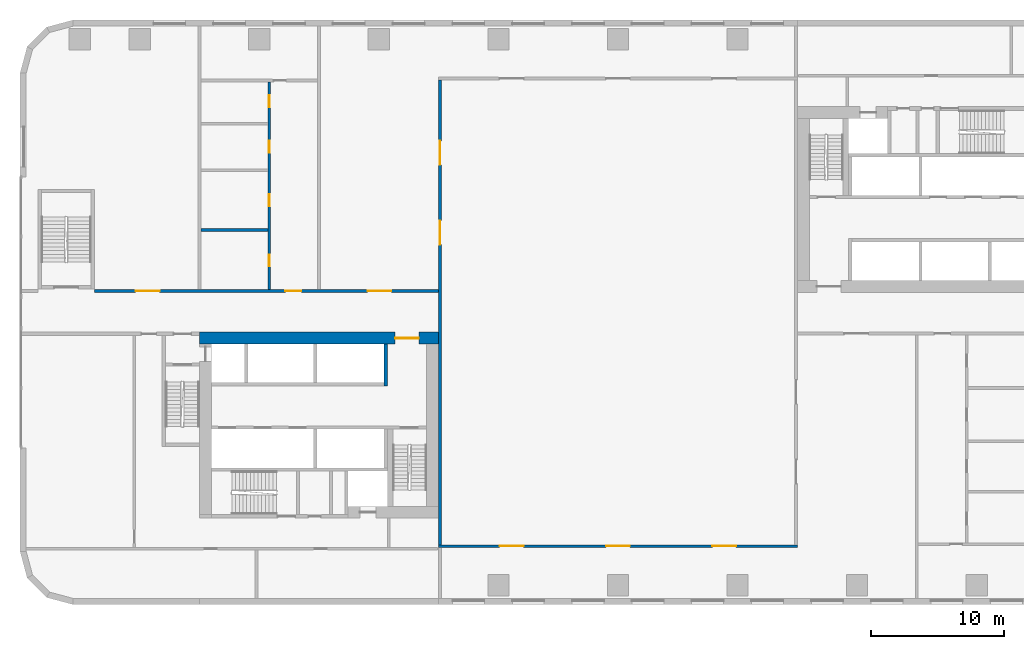
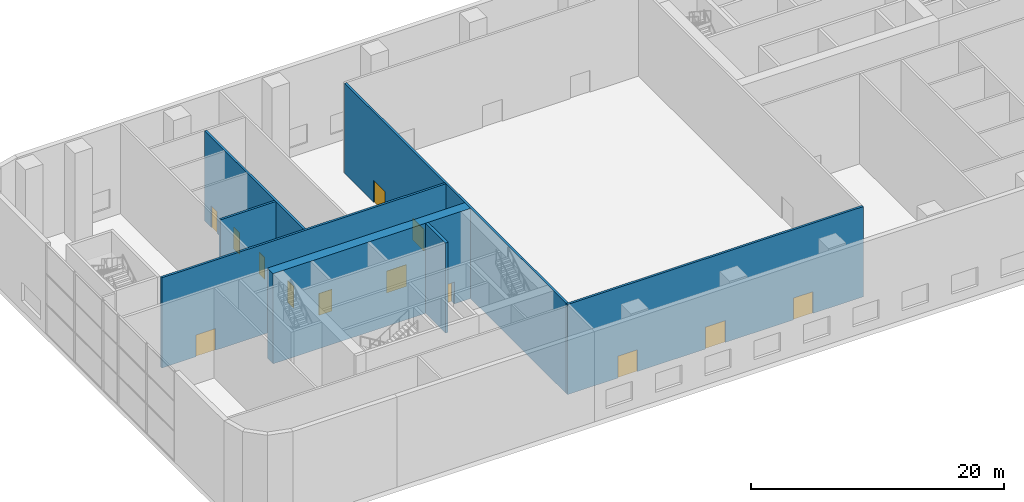
# One storey, part 7 of 24: 13 doors, 7 walls, 13 openings.
"""IFC4 building model written with IfcOpenShell, lengths in metres."""

import ifcopenshell
import ifcopenshell.guid

model = None  # the IFC model being written
_history = None  # IfcOwnerHistory: only IFC2X3 demands one
_inside = {}  # id of a spatial element -> (the spatial element, [elements in it])
_under = {}  # id of a project, library or spatial element -> (it, [spatial elements below it])
_declared = {}  # id of a project -> (the project, [libraries it declares])
_typed = {}  # id of a type object -> (the type object, [elements of that type])
_made_of = {}  # id of a material, layer set ... -> (it, [elements and type objects made of it])


def new_model(schema):
    """Start an empty IFC model of exactly this schema.

    Asked for "IFC4X3", IfcOpenShell would pick the latest addendum, in which some entities
    have other attributes; the version numbers below select the first issue.
    IFC2X3 requires an IfcOwnerHistory on every rooted entity: one is made here for all.
    """
    global model, _history
    if schema == "IFC4X3":
        model = ifcopenshell.file(schema_version=(4, 3, 0, 0))
    else:
        model = ifcopenshell.file(schema=schema)
    _inside.clear()
    _under.clear()
    _declared.clear()
    _typed.clear()
    _made_of.clear()
    _history = None
    if model.schema == "IFC2X3":
        org = make("IfcOrganization", Name="unknown")
        user = make(
            "IfcPersonAndOrganization",
            ThePerson=make("IfcPerson", FamilyName="unknown"),
            TheOrganization=org,
        )
        app = make(
            "IfcApplication",
            ApplicationDeveloper=org,
            Version="unknown",
            ApplicationFullName="unknown",
            ApplicationIdentifier="unknown",
        )
        _history = make(
            "IfcOwnerHistory",
            OwningUser=user,
            OwningApplication=app,
            ChangeAction="ADDED",
            CreationDate=0,
        )
    return model


def make(cls, **values):
    """One entity of the class cls with the attributes given. An attribute that is None is left unset."""
    return model.create_entity(
        cls, **{name: value for name, value in values.items() if value is not None}
    )


def rooted(cls, **values):
    """An entity with a GlobalId (a new one), such as an element, a storey or a relation."""
    return make(cls, GlobalId=ifcopenshell.guid.new(), OwnerHistory=_history, **values)


def si_unit(unit_type, name, prefix=None):
    """IfcSIUnit, for example si_unit("LENGTHUNIT", "METRE", prefix="MILLI")."""
    return make("IfcSIUnit", UnitType=unit_type, Prefix=prefix, Name=name)


def assignment(units):
    """IfcUnitAssignment: the units of a project."""
    return None if units is None else make("IfcUnitAssignment", Units=units)


def point(xyz):
    """IfcCartesianPoint."""
    return None if xyz is None else make("IfcCartesianPoint", Coordinates=xyz)


def direction(xyz):
    """IfcDirection."""
    return None if xyz is None else make("IfcDirection", DirectionRatios=xyz)


def frame(location, z_axis=None, x_axis=None):
    """IfcAxis2Placement3D, a coordinate frame: its origin and axes. An axis left out is left unset."""
    return make(
        "IfcAxis2Placement3D",
        Location=point(location),
        Axis=direction(z_axis),
        RefDirection=direction(x_axis),
    )


def frame_2d(location, x_axis=None):
    """IfcAxis2Placement2D, a coordinate frame in the plane: its origin and x axis."""
    return make(
        "IfcAxis2Placement2D", Location=point(location), RefDirection=direction(x_axis)
    )


def origin():
    """The frame at (0, 0, 0) with its axes left unset."""
    return frame((0.0, 0.0, 0.0))


def place(relative_to, where):
    """IfcLocalPlacement: puts the frame where relative to a parent placement (None: the world)."""
    return make(
        "IfcLocalPlacement", PlacementRelTo=relative_to, RelativePlacement=where
    )


def context(
    kind, dimensions, precision=None, world=None, true_north=None, identifier=None
):
    """IfcGeometricRepresentationContext, for example the 3D "Model" context."""
    return make(
        "IfcGeometricRepresentationContext",
        ContextIdentifier=identifier,
        ContextType=kind,
        CoordinateSpaceDimension=dimensions,
        Precision=precision,
        WorldCoordinateSystem=world,
        TrueNorth=true_north,
    )


def subcontext(parent, identifier, kind, view, scale=None):
    """IfcGeometricRepresentationSubContext, for example "Body" below "Model"."""
    return make(
        "IfcGeometricRepresentationSubContext",
        ContextIdentifier=identifier,
        ContextType=kind,
        ParentContext=parent,
        TargetScale=scale,
        TargetView=view,
    )


def project(units=None, contexts=None):
    """IfcProject with its units and contexts."""
    return rooted(
        "IfcProject",
        Name="project",
        RepresentationContexts=contexts,
        UnitsInContext=assignment(units),
    )


def spatial(cls, under=None, at=None, **own):
    """A site, building, storey or space (cls), placed at a placement, below another one or the project."""
    s = rooted(cls, ObjectPlacement=at, **own)
    if under is not None:
        _under.setdefault(under.id(), (under, []))[1].append(s)
    return s


def profile(cls, at=None, kind="AREA", **sizes):
    """A parametric profile (cls). Its sizes go by their IFC names, for example OverallWidth=200.0."""
    return make(cls, ProfileType=kind, Position=at, **sizes)


def rectangle(**sizes):
    """IfcRectangleProfileDef."""
    return profile("IfcRectangleProfileDef", **sizes)


def extrude(swept, where, along, depth):
    """IfcExtrudedAreaSolid: the profile swept, set in the frame where, extruded along a direction by depth."""
    return make(
        "IfcExtrudedAreaSolid",
        SweptArea=swept,
        Position=where,
        ExtrudedDirection=direction(along),
        Depth=depth,
    )


def shape(context_of_items, identifier, shape_type, items):
    """IfcShapeRepresentation: the items that make up one representation, for example the "Body"."""
    return make(
        "IfcShapeRepresentation",
        ContextOfItems=context_of_items,
        RepresentationIdentifier=identifier,
        RepresentationType=shape_type,
        Items=items,
    )


def material(Name=None, Category=None):
    """IfcMaterial."""
    return make("IfcMaterial", Name=Name, Category=Category)


def layer(
    of_material, thickness, ventilated=None, Name=None, Category=None, Priority=None
):
    """IfcMaterialLayer: one layer of a wall or slab, of a material (None: an air gap)."""
    return make(
        "IfcMaterialLayer",
        Material=of_material,
        LayerThickness=thickness,
        IsVentilated=ventilated,
        Name=Name,
        Category=Category,
        Priority=Priority,
    )


def layer_set(layers, Name=None):
    """IfcMaterialLayerSet."""
    return make("IfcMaterialLayerSet", MaterialLayers=layers, LayerSetName=Name)


def made_of(thing, what):
    """Note that an element or type object is made of a material, layer set ...; save() writes the relation."""
    if what is not None:
        _made_of.setdefault(what.id(), (what, []))[1].append(thing)
    return thing


def type_object(cls, material=None, **own):
    """A type object (cls), such as IfcWallType, which elements share."""
    return made_of(rooted(cls, **own), material)


def element(
    cls,
    number,
    at=None,
    inside=None,
    cuts=None,
    type_object=None,
    material=None,
    context=None,
    identifier="Body",
    shape_type=None,
    held_by="IfcProductDefinitionShape",
    body=None,
    shapes=None,
    **own,
):
    """One element of the class cls, such as IfcWall. Its Tag is "e" and its number.

    at: its placement. inside: the storey or other place that contains it. cuts: it is an
    opening in that element (IfcRelVoidsElement). A single representation is given by context,
    identifier, shape_type and body (its items); several are given by shapes. held_by: the class
    of the entity that holds the representations. save() writes the other relations.
    """
    e = rooted(cls, Tag="e%d" % number, ObjectPlacement=at, **own)
    if body is not None:
        shapes = [shape(context, identifier, shape_type, body)]
    if shapes is not None:
        e.Representation = make(held_by, Representations=shapes)
    if inside is not None:
        _inside.setdefault(inside.id(), (inside, []))[1].append(e)
    if cuts is not None:
        rooted(
            "IfcRelVoidsElement", RelatingBuildingElement=cuts, RelatedOpeningElement=e
        )
    if type_object is not None:
        _typed.setdefault(type_object.id(), (type_object, []))[1].append(e)
    return made_of(e, material)


def fill(opening, filler):
    """IfcRelFillsElement: the door or window that sits in an opening."""
    return rooted(
        "IfcRelFillsElement",
        RelatingOpeningElement=opening,
        RelatedBuildingElement=filler,
    )


def aggregate(whole, parts):
    """IfcRelAggregates: a whole, such as a stair, and the parts it consists of."""
    return rooted("IfcRelAggregates", RelatingObject=whole, RelatedObjects=parts)


def save(model, path):
    """Write the relations noted so far, then the file.

    IfcRelAggregates (storeys below a building ...), IfcRelContainedInSpatialStructure (elements
    in a storey), IfcRelDefinesByType, IfcRelAssociatesMaterial and IfcRelDeclares: one each for
    every whole, place, type object, material and project.
    """
    for whole, parts in _under.values():
        aggregate(whole, parts)
    for where, things in _inside.values():
        rooted(
            "IfcRelContainedInSpatialStructure",
            RelatedElements=things,
            RelatingStructure=where,
        )
    for kind, things in _typed.values():
        rooted("IfcRelDefinesByType", RelatedObjects=things, RelatingType=kind)
    for what, things in _made_of.values():
        rooted("IfcRelAssociatesMaterial", RelatedObjects=things, RelatingMaterial=what)
    for by, libraries in _declared.values():
        rooted("IfcRelDeclares", RelatingContext=by, RelatedDefinitions=libraries)
    model.write(path)


model = new_model("IFC4")

# Units and contexts
model_context = context("Model", 3, precision=1e-05, world=origin(), true_north=direction((0.0, 1.0)))
body_context = subcontext(model_context, "Body", "Model", "MODEL_VIEW")
ifc_project = project(units=[si_unit("LENGTHUNIT", "METRE"), si_unit("AREAUNIT", "SQUARE_METRE"), si_unit("VOLUMEUNIT", "CUBIC_METRE"), si_unit("PLANEANGLEUNIT", "RADIAN"), si_unit("MASSUNIT", "GRAM", prefix="KILO")], contexts=[model_context])

# Site, building, storey
site_placement = place(None, origin())
site = spatial("IfcSite", under=ifc_project, at=site_placement, CompositionType="ELEMENT")
building_placement = place(site_placement, origin())
building = spatial("IfcBuilding", under=site, at=building_placement, Name="Kajstack Hotel Tower", CompositionType="ELEMENT")
storey_placement = place(building_placement, frame((0.0, 0.0, 38.0)))
storey = spatial("IfcBuildingStorey", under=building, at=storey_placement, Name="L06", CompositionType="ELEMENT", Elevation=38.0)

# Wall, opening, door
ifc_material_1 = material(Name="Concrete C60/75", Category="concrete")
ifc_layer_1 = layer(ifc_material_1, 0.89990234375)
ifc_layer_set_1 = layer_set([ifc_layer_1], Name="Core wall 900")
wall_type_1 = type_object("IfcWallType", Name="Core wall 900", PredefinedType="SHEAR", material=ifc_layer_set_1)
wall_1_placement = place(storey_placement, frame((-31.5, -1.949951171875, 0.0), z_axis=(0.0, 0.0, 1.0), x_axis=(1.0, 0.0, 0.0)))
wall_1 = element("IfcWall", 1, at=wall_1_placement, inside=storey, type_object=wall_type_1, Name="Core wall W RN", PredefinedType="SHEAR", context=body_context, shape_type="SweptSolid", body=[
    extrude(rectangle(XDim=18.0, YDim=0.89990234375, at=frame_2d((9.0, 0.0))), origin(), (0.0, 0.0, 1.0), 8.699951171875),
])
opening_1_placement = place(wall_1_placement, frame((14.72509765625, 0.0, 0.0)))
opening_1 = element("IfcOpeningElement", 2, at=opening_1_placement, cuts=wall_1, Name="Opening 06W06", PredefinedType="OPENING", context=body_context, shape_type="SweptSolid", body=[
    extrude(rectangle(XDim=1.800048828125, YDim=2.10009765625, at=frame_2d((0.89990234375, 1.050048828125))), frame((0.0, 0.4599609375, 0.0), z_axis=(0.0, -1.0, 0.0), x_axis=(1.0, 0.0, 0.0)), (0.0, 0.0, 1.0), 0.919921875),
])
ifc_material_2 = material(Name="Glazed steel frame, fire-rated glass", Category="steel")
door_type_1 = type_object("IfcDoorType", Name="Lobby double door 1800", OperationType="DOUBLE_DOOR_DOUBLE_SWING", PredefinedType="DOOR", material=ifc_material_2)
door_1_placement = place(opening_1_placement, origin())
door_1 = element("IfcDoor", 3, at=door_1_placement, inside=storey, type_object=door_type_1, Name="Door 06W06", OperationType="DOUBLE_DOOR_DOUBLE_SWING", OverallHeight=2.10009765625, OverallWidth=1.800048828125, PredefinedType="DOOR", context=body_context, shape_type="SweptSolid", body=[
    extrude(rectangle(XDim=1.800048828125, YDim=2.10009765625, at=frame_2d((0.89990234375, 1.050048828125))), frame((0.0, 0.02490234375, 0.0), z_axis=(0.0, -1.0, 0.0), x_axis=(1.0, 0.0, 0.0)), (0.0, 0.0, 1.0), 0.050048828125),
])
fill(opening_1, door_1)

# Wall, openings, doors
ifc_material_3 = material(Name="Gypsum board on steel studs, mineral wool", Category="steel")
ifc_layer_2 = layer(ifc_material_3, 0.199951171875)
ifc_layer_set_2 = layer_set([ifc_layer_2], Name="Public partition 200")
wall_type_2 = type_object("IfcWallType", Name="Public partition 200", PredefinedType="PARTITIONING", material=ifc_layer_set_2)
wall_2_placement = place(storey_placement, frame((-26.25, 1.699951171875, 0.0), z_axis=(0.0, 0.0, 1.0), x_axis=(0.0, 1.0, 0.0)))
wall_2 = element("IfcWall", 4, at=wall_2_placement, inside=storey, type_object=wall_type_2, Name="Partition C1CW", PredefinedType="PARTITIONING", context=body_context, shape_type="SweptSolid", body=[
    extrude(rectangle(XDim=15.650146484375, YDim=0.199951171875, at=frame_2d((7.8251953125, 0.0))), origin(), (0.0, 0.0, 1.0), 8.699951171875),
])
opening_2_placement = place(wall_2_placement, frame((1.75, 0.0, 0.0)))
opening_2 = element("IfcOpeningElement", 5, at=opening_2_placement, cuts=wall_2, Name="Opening 06P03", PredefinedType="OPENING", context=body_context, shape_type="SweptSolid", body=[
    extrude(rectangle(XDim=0.89990234375, YDim=2.10009765625, at=frame_2d((0.449951171875, 1.050048828125))), frame((0.0, 0.10986328125, 0.0), z_axis=(0.0, -1.0, 0.0), x_axis=(1.0, 0.0, 0.0)), (0.0, 0.0, 1.0), 0.219970703125),
])
opening_3_placement = place(wall_2_placement, frame((6.300048828125, 0.0, 0.0)))
opening_3 = element("IfcOpeningElement", 6, at=opening_3_placement, cuts=wall_2, Name="Opening 06P04", PredefinedType="OPENING", context=body_context, shape_type="SweptSolid", body=[
    extrude(rectangle(XDim=0.89990234375, YDim=2.10009765625, at=frame_2d((0.449951171875, 1.050048828125))), frame((0.0, 0.10986328125, 0.0), z_axis=(0.0, -1.0, 0.0), x_axis=(1.0, 0.0, 0.0)), (0.0, 0.0, 1.0), 0.219970703125),
])
opening_4_placement = place(wall_2_placement, frame((10.300048828125, 0.0, 0.0)))
opening_4 = element("IfcOpeningElement", 7, at=opening_4_placement, cuts=wall_2, Name="Opening 06P05", PredefinedType="OPENING", context=body_context, shape_type="SweptSolid", body=[
    extrude(rectangle(XDim=0.89990234375, YDim=2.10009765625, at=frame_2d((0.449951171875, 1.050048828125))), frame((0.0, 0.10986328125, 0.0), z_axis=(0.0, -1.0, 0.0), x_axis=(1.0, 0.0, 0.0)), (0.0, 0.0, 1.0), 0.219970703125),
])
opening_5_placement = place(wall_2_placement, frame((13.72509765625, 0.0, 0.0)))
opening_5 = element("IfcOpeningElement", 8, at=opening_5_placement, cuts=wall_2, Name="Opening 06P06", PredefinedType="OPENING", context=body_context, shape_type="SweptSolid", body=[
    extrude(rectangle(XDim=0.89990234375, YDim=2.10009765625, at=frame_2d((0.449951171875, 1.050048828125))), frame((0.0, 0.10986328125, 0.0), z_axis=(0.0, -1.0, 0.0), x_axis=(1.0, 0.0, 0.0)), (0.0, 0.0, 1.0), 0.219970703125),
])
ifc_material_4 = material(Name="Timber leaf", Category="wood")
door_type_2 = type_object("IfcDoorType", Name="Public room door 900", OperationType="SINGLE_SWING_LEFT", PredefinedType="DOOR", material=ifc_material_4)
door_2_placement = place(opening_2_placement, origin())
door_2 = element("IfcDoor", 9, at=door_2_placement, inside=storey, type_object=door_type_2, Name="Door 06P03", OperationType="SINGLE_SWING_LEFT", OverallHeight=2.10009765625, OverallWidth=0.89990234375, PredefinedType="DOOR", context=body_context, shape_type="SweptSolid", body=[
    extrude(rectangle(XDim=0.89990234375, YDim=2.10009765625, at=frame_2d((0.449951171875, 1.050048828125))), frame((0.0, 0.02490234375, 0.0), z_axis=(0.0, -1.0, 0.0), x_axis=(1.0, 0.0, 0.0)), (0.0, 0.0, 1.0), 0.050048828125),
])
fill(opening_2, door_2)
door_3_placement = place(opening_3_placement, origin())
door_3 = element("IfcDoor", 10, at=door_3_placement, inside=storey, type_object=door_type_2, Name="Door 06P04", OperationType="SINGLE_SWING_LEFT", OverallHeight=2.10009765625, OverallWidth=0.89990234375, PredefinedType="DOOR", context=body_context, shape_type="SweptSolid", body=[
    extrude(rectangle(XDim=0.89990234375, YDim=2.10009765625, at=frame_2d((0.449951171875, 1.050048828125))), frame((0.0, 0.02490234375, 0.0), z_axis=(0.0, -1.0, 0.0), x_axis=(1.0, 0.0, 0.0)), (0.0, 0.0, 1.0), 0.050048828125),
])
fill(opening_3, door_3)
door_4_placement = place(opening_4_placement, origin())
door_4 = element("IfcDoor", 11, at=door_4_placement, inside=storey, type_object=door_type_2, Name="Door 06P05", OperationType="SINGLE_SWING_LEFT", OverallHeight=2.10009765625, OverallWidth=0.89990234375, PredefinedType="DOOR", context=body_context, shape_type="SweptSolid", body=[
    extrude(rectangle(XDim=0.89990234375, YDim=2.10009765625, at=frame_2d((0.449951171875, 1.050048828125))), frame((0.0, 0.02490234375, 0.0), z_axis=(0.0, -1.0, 0.0), x_axis=(1.0, 0.0, 0.0)), (0.0, 0.0, 1.0), 0.050048828125),
])
fill(opening_4, door_4)
door_5_placement = place(opening_5_placement, origin())
door_5 = element("IfcDoor", 12, at=door_5_placement, inside=storey, type_object=door_type_2, Name="Door 06P06", OperationType="SINGLE_SWING_LEFT", OverallHeight=2.10009765625, OverallWidth=0.89990234375, PredefinedType="DOOR", context=body_context, shape_type="SweptSolid", body=[
    extrude(rectangle(XDim=0.89990234375, YDim=2.10009765625, at=frame_2d((0.449951171875, 1.050048828125))), frame((0.0, 0.02490234375, 0.0), z_axis=(0.0, -1.0, 0.0), x_axis=(1.0, 0.0, 0.0)), (0.0, 0.0, 1.0), 0.050048828125),
])
fill(opening_5, door_5)

# Wall
wall_3_placement = place(storey_placement, frame((-31.39990234375, 6.199951171875, 0.0), z_axis=(0.0, 0.0, 1.0), x_axis=(1.0, 0.0, 0.0)))
element("IfcWall", 13, at=wall_3_placement, inside=storey, type_object=wall_type_2, Name="Partition C1wP0", PredefinedType="PARTITIONING", context=body_context, shape_type="SweptSolid", body=[
    extrude(rectangle(XDim=5.0498046875, YDim=0.199951171875, at=frame_2d((2.52490234375, 0.0))), origin(), (0.0, 0.0, 1.0), 8.699951171875),
])

# Wall, openings, doors
wall_4_placement = place(storey_placement, frame((-39.39990234375, 1.60009765625, 0.0), z_axis=(0.0, 0.0, 1.0), x_axis=(1.0, 0.0, 0.0)))
wall_4 = element("IfcWall", 14, at=wall_4_placement, inside=storey, type_object=wall_type_2, Name="Partition FW", PredefinedType="PARTITIONING", context=body_context, shape_type="SweptSolid", body=[
    extrude(rectangle(XDim=25.89990234375, YDim=0.199951171875, at=frame_2d((12.949951171875, 0.0))), origin(), (0.0, 0.0, 1.0), 8.699951171875),
])
opening_6_placement = place(wall_4_placement, frame((20.550048828125, 0.0, 0.0)))
opening_6 = element("IfcOpeningElement", 15, at=opening_6_placement, cuts=wall_4, Name="Opening 06P01", PredefinedType="OPENING", context=body_context, shape_type="SweptSolid", body=[
    extrude(rectangle(XDim=1.800048828125, YDim=2.10009765625, at=frame_2d((0.89990234375, 1.050048828125))), frame((0.0, 0.10986328125, 0.0), z_axis=(0.0, -1.0, 0.0), x_axis=(1.0, 0.0, 0.0)), (0.0, 0.0, 1.0), 0.219970703125),
])
opening_7_placement = place(wall_4_placement, frame((14.375, 0.0, 0.0)))
opening_7 = element("IfcOpeningElement", 16, at=opening_7_placement, cuts=wall_4, Name="Opening 06P02", PredefinedType="OPENING", context=body_context, shape_type="SweptSolid", body=[
    extrude(rectangle(XDim=1.199951171875, YDim=2.10009765625, at=frame_2d((0.60009765625, 1.050048828125))), frame((0.0, 0.10986328125, 0.0), z_axis=(0.0, -1.0, 0.0), x_axis=(1.0, 0.0, 0.0)), (0.0, 0.0, 1.0), 0.219970703125),
])
opening_8_placement = place(wall_4_placement, frame((3.10009765625, 0.0, 0.0)))
opening_8 = element("IfcOpeningElement", 17, at=opening_8_placement, cuts=wall_4, Name="Opening 06P08", PredefinedType="OPENING", context=body_context, shape_type="SweptSolid", body=[
    extrude(rectangle(XDim=1.800048828125, YDim=2.10009765625, at=frame_2d((0.89990234375, 1.050048828125))), frame((0.0, 0.10986328125, 0.0), z_axis=(0.0, -1.0, 0.0), x_axis=(1.0, 0.0, 0.0)), (0.0, 0.0, 1.0), 0.219970703125),
])
ifc_material_5 = material(Name="Timber leaf, fire-rated", Category="wood")
door_type_3 = type_object("IfcDoorType", Name="Public corridor door 1200", OperationType="SINGLE_SWING_LEFT", PredefinedType="DOOR", material=ifc_material_5)
door_6_placement = place(opening_7_placement, origin())
door_6 = element("IfcDoor", 18, at=door_6_placement, inside=storey, type_object=door_type_3, Name="Door 06P02", OperationType="SINGLE_SWING_LEFT", OverallHeight=2.10009765625, OverallWidth=1.199951171875, PredefinedType="DOOR", context=body_context, shape_type="SweptSolid", body=[
    extrude(rectangle(XDim=1.199951171875, YDim=2.10009765625, at=frame_2d((0.60009765625, 1.050048828125))), frame((0.0, 0.02490234375, 0.0), z_axis=(0.0, -1.0, 0.0), x_axis=(1.0, 0.0, 0.0)), (0.0, 0.0, 1.0), 0.050048828125),
])
fill(opening_7, door_6)
ifc_material_6 = material(Name="Glazed timber frame, fire-rated glass", Category="wood")
door_type_4 = type_object("IfcDoorType", Name="Public double door 1800", OperationType="DOUBLE_DOOR_DOUBLE_SWING", PredefinedType="DOOR", material=ifc_material_6)
door_7_placement = place(opening_6_placement, origin())
door_7 = element("IfcDoor", 19, at=door_7_placement, inside=storey, type_object=door_type_4, Name="Door 06P01", OperationType="DOUBLE_DOOR_DOUBLE_SWING", OverallHeight=2.10009765625, OverallWidth=1.800048828125, PredefinedType="DOOR", context=body_context, shape_type="SweptSolid", body=[
    extrude(rectangle(XDim=1.800048828125, YDim=2.10009765625, at=frame_2d((0.89990234375, 1.050048828125))), frame((0.0, 0.02490234375, 0.0), z_axis=(0.0, -1.0, 0.0), x_axis=(1.0, 0.0, 0.0)), (0.0, 0.0, 1.0), 0.050048828125),
])
fill(opening_6, door_7)
door_8_placement = place(opening_8_placement, origin())
door_8 = element("IfcDoor", 20, at=door_8_placement, inside=storey, type_object=door_type_4, Name="Door 06P08", OperationType="DOUBLE_DOOR_DOUBLE_SWING", OverallHeight=2.10009765625, OverallWidth=1.800048828125, PredefinedType="DOOR", context=body_context, shape_type="SweptSolid", body=[
    extrude(rectangle(XDim=1.800048828125, YDim=2.10009765625, at=frame_2d((0.89990234375, 1.050048828125))), frame((0.0, 0.02490234375, 0.0), z_axis=(0.0, -1.0, 0.0), x_axis=(1.0, 0.0, 0.0)), (0.0, 0.0, 1.0), 0.050048828125),
])
fill(opening_8, door_8)

wall_5_placement = place(storey_placement, frame((-13.39990234375, -17.5, 0.0), z_axis=(0.0, 0.0, 1.0), x_axis=(0.0, 1.0, 0.0)))
wall_5 = element("IfcWall", 21, at=wall_5_placement, inside=storey, type_object=wall_type_2, Name="Partition BWW", PredefinedType="PARTITIONING", context=body_context, shape_type="SweptSolid", body=[
    extrude(rectangle(XDim=35.0, YDim=0.199951171875, at=frame_2d((17.5, 0.0))), origin(), (0.0, 0.0, 1.0), 8.699951171875),
])
opening_9_placement = place(wall_5_placement, frame((22.60009765625, 0.0, 0.0)))
opening_9 = element("IfcOpeningElement", 22, at=opening_9_placement, cuts=wall_5, Name="Opening 06P17", PredefinedType="OPENING", context=body_context, shape_type="SweptSolid", body=[
    extrude(rectangle(XDim=1.800048828125, YDim=2.10009765625, at=frame_2d((0.89990234375, 1.050048828125))), frame((0.0, 0.10986328125, 0.0), z_axis=(0.0, -1.0, 0.0), x_axis=(1.0, 0.0, 0.0)), (0.0, 0.0, 1.0), 0.219970703125),
])
opening_10_placement = place(wall_5_placement, frame((28.60009765625, 0.0, 0.0)))
opening_10 = element("IfcOpeningElement", 23, at=opening_10_placement, cuts=wall_5, Name="Opening 06P18", PredefinedType="OPENING", context=body_context, shape_type="SweptSolid", body=[
    extrude(rectangle(XDim=1.800048828125, YDim=2.10009765625, at=frame_2d((0.89990234375, 1.050048828125))), frame((0.0, 0.10986328125, 0.0), z_axis=(0.0, -1.0, 0.0), x_axis=(1.0, 0.0, 0.0)), (0.0, 0.0, 1.0), 0.219970703125),
])
door_9_placement = place(opening_9_placement, origin())
door_9 = element("IfcDoor", 24, at=door_9_placement, inside=storey, type_object=door_type_4, Name="Door 06P17", OperationType="DOUBLE_DOOR_DOUBLE_SWING", OverallHeight=2.10009765625, OverallWidth=1.800048828125, PredefinedType="DOOR", context=body_context, shape_type="SweptSolid", body=[
    extrude(rectangle(XDim=1.800048828125, YDim=2.10009765625, at=frame_2d((0.89990234375, 1.050048828125))), frame((0.0, 0.02490234375, 0.0), z_axis=(0.0, -1.0, 0.0), x_axis=(1.0, 0.0, 0.0)), (0.0, 0.0, 1.0), 0.050048828125),
])
fill(opening_9, door_9)
door_10_placement = place(opening_10_placement, origin())
door_10 = element("IfcDoor", 25, at=door_10_placement, inside=storey, type_object=door_type_4, Name="Door 06P18", OperationType="DOUBLE_DOOR_DOUBLE_SWING", OverallHeight=2.10009765625, OverallWidth=1.800048828125, PredefinedType="DOOR", context=body_context, shape_type="SweptSolid", body=[
    extrude(rectangle(XDim=1.800048828125, YDim=2.10009765625, at=frame_2d((0.89990234375, 1.050048828125))), frame((0.0, 0.02490234375, 0.0), z_axis=(0.0, -1.0, 0.0), x_axis=(1.0, 0.0, 0.0)), (0.0, 0.0, 1.0), 0.050048828125),
])
fill(opening_10, door_10)

wall_6_placement = place(storey_placement, frame((-13.5, -17.60009765625, 0.0), z_axis=(0.0, 0.0, 1.0), x_axis=(1.0, 0.0, 0.0)))
wall_6 = element("IfcWall", 26, at=wall_6_placement, inside=storey, type_object=wall_type_2, Name="Partition BWS", PredefinedType="PARTITIONING", context=body_context, shape_type="SweptSolid", body=[
    extrude(rectangle(XDim=27.0, YDim=0.199951171875, at=frame_2d((13.5, 0.0))), origin(), (0.0, 0.0, 1.0), 8.699951171875),
])
opening_11_placement = place(wall_6_placement, frame((4.60009765625, 0.0, 0.0)))
opening_11 = element("IfcOpeningElement", 27, at=opening_11_placement, cuts=wall_6, Name="Opening 06P24", PredefinedType="OPENING", context=body_context, shape_type="SweptSolid", body=[
    extrude(rectangle(XDim=1.800048828125, YDim=2.10009765625, at=frame_2d((0.89990234375, 1.050048828125))), frame((0.0, 0.10986328125, 0.0), z_axis=(0.0, -1.0, 0.0), x_axis=(1.0, 0.0, 0.0)), (0.0, 0.0, 1.0), 0.219970703125),
])
opening_12_placement = place(wall_6_placement, frame((12.60009765625, 0.0, 0.0)))
opening_12 = element("IfcOpeningElement", 28, at=opening_12_placement, cuts=wall_6, Name="Opening 06P25", PredefinedType="OPENING", context=body_context, shape_type="SweptSolid", body=[
    extrude(rectangle(XDim=1.800048828125, YDim=2.10009765625, at=frame_2d((0.89990234375, 1.050048828125))), frame((0.0, 0.10986328125, 0.0), z_axis=(0.0, -1.0, 0.0), x_axis=(1.0, 0.0, 0.0)), (0.0, 0.0, 1.0), 0.219970703125),
])
opening_13_placement = place(wall_6_placement, frame((20.60009765625, 0.0, 0.0)))
opening_13 = element("IfcOpeningElement", 29, at=opening_13_placement, cuts=wall_6, Name="Opening 06P26", PredefinedType="OPENING", context=body_context, shape_type="SweptSolid", body=[
    extrude(rectangle(XDim=1.800048828125, YDim=2.10009765625, at=frame_2d((0.89990234375, 1.050048828125))), frame((0.0, 0.10986328125, 0.0), z_axis=(0.0, -1.0, 0.0), x_axis=(1.0, 0.0, 0.0)), (0.0, 0.0, 1.0), 0.219970703125),
])
door_11_placement = place(opening_11_placement, origin())
door_11 = element("IfcDoor", 30, at=door_11_placement, inside=storey, type_object=door_type_4, Name="Door 06P24", OperationType="DOUBLE_DOOR_DOUBLE_SWING", OverallHeight=2.10009765625, OverallWidth=1.800048828125, PredefinedType="DOOR", context=body_context, shape_type="SweptSolid", body=[
    extrude(rectangle(XDim=1.800048828125, YDim=2.10009765625, at=frame_2d((0.89990234375, 1.050048828125))), frame((0.0, 0.02490234375, 0.0), z_axis=(0.0, -1.0, 0.0), x_axis=(1.0, 0.0, 0.0)), (0.0, 0.0, 1.0), 0.050048828125),
])
fill(opening_11, door_11)
door_12_placement = place(opening_12_placement, origin())
door_12 = element("IfcDoor", 31, at=door_12_placement, inside=storey, type_object=door_type_4, Name="Door 06P25", OperationType="DOUBLE_DOOR_DOUBLE_SWING", OverallHeight=2.10009765625, OverallWidth=1.800048828125, PredefinedType="DOOR", context=body_context, shape_type="SweptSolid", body=[
    extrude(rectangle(XDim=1.800048828125, YDim=2.10009765625, at=frame_2d((0.89990234375, 1.050048828125))), frame((0.0, 0.02490234375, 0.0), z_axis=(0.0, -1.0, 0.0), x_axis=(1.0, 0.0, 0.0)), (0.0, 0.0, 1.0), 0.050048828125),
])
fill(opening_12, door_12)
door_13_placement = place(opening_13_placement, origin())
door_13 = element("IfcDoor", 32, at=door_13_placement, inside=storey, type_object=door_type_4, Name="Door 06P26", OperationType="DOUBLE_DOOR_DOUBLE_SWING", OverallHeight=2.10009765625, OverallWidth=1.800048828125, PredefinedType="DOOR", context=body_context, shape_type="SweptSolid", body=[
    extrude(rectangle(XDim=1.800048828125, YDim=2.10009765625, at=frame_2d((0.89990234375, 1.050048828125))), frame((0.0, 0.02490234375, 0.0), z_axis=(0.0, -1.0, 0.0), x_axis=(1.0, 0.0, 0.0)), (0.0, 0.0, 1.0), 0.050048828125),
])
fill(opening_13, door_13)

# Wall
ifc_material_7 = material(Name="Concrete C50/60", Category="concrete")
ifc_layer_3 = layer(ifc_material_7, 0.25)
ifc_layer_set_3 = layer_set([ifc_layer_3], Name="Shaft wall 250")
wall_type_3 = type_object("IfcWallType", Name="Shaft wall 250", PredefinedType="SHEAR", material=ifc_layer_set_3)
wall_7_placement = place(storey_placement, frame((-17.47509765625, -5.550048828125, 0.0), z_axis=(0.0, 0.0, 1.0), x_axis=(0.0, 1.0, 0.0)))
element("IfcWall", 33, at=wall_7_placement, inside=storey, type_object=wall_type_3, Name="Core wall W AE", PredefinedType="SHEAR", context=body_context, shape_type="SweptSolid", body=[
    extrude(rectangle(XDim=3.150146484375, YDim=0.25, at=frame_2d((1.5751953125, 0.0))), origin(), (0.0, 0.0, 1.0), 8.699951171875),
])

save(model, "model.ifc")
